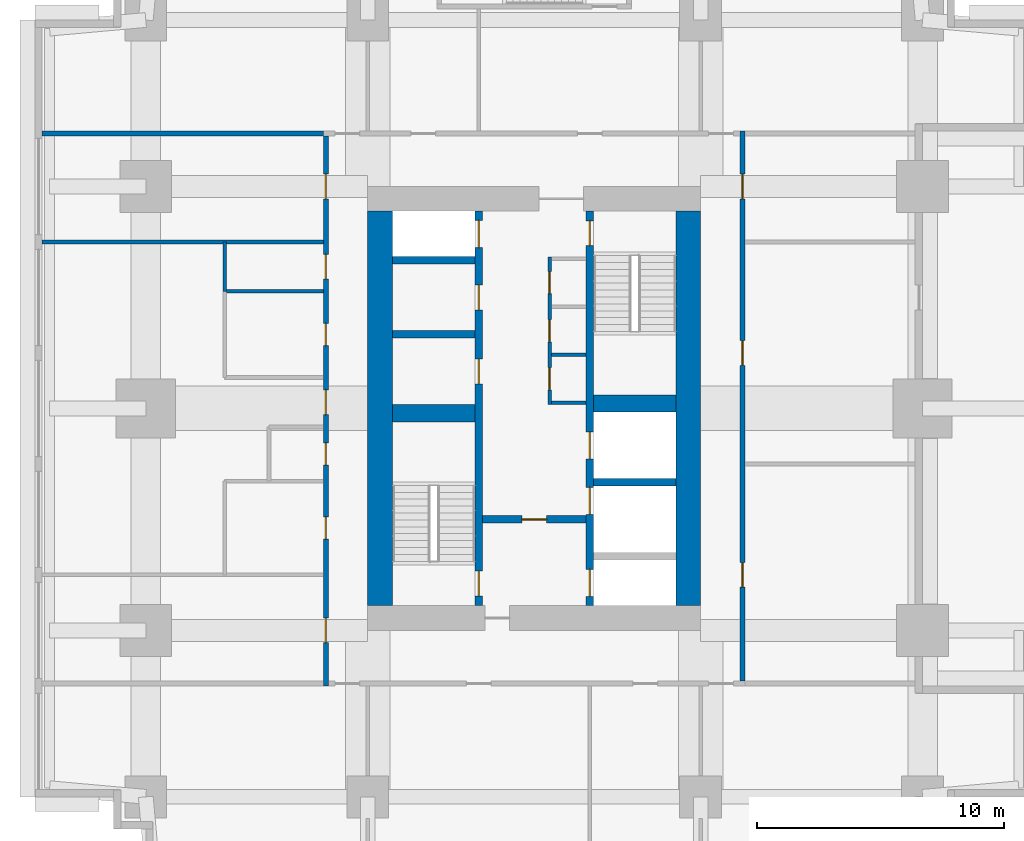
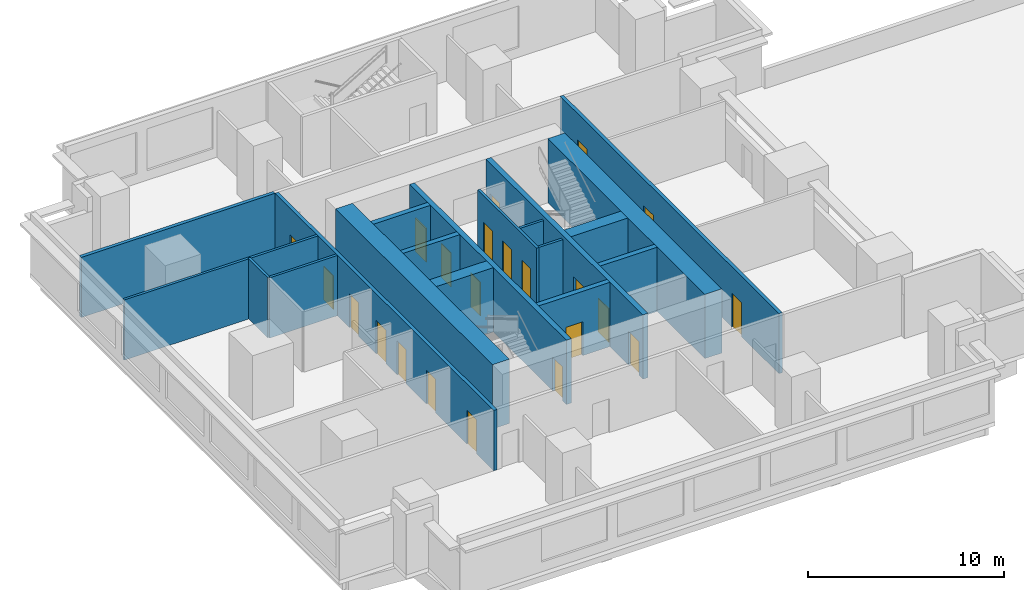
# One storey, part 4 of 10: 22 doors, 19 walls, 22 openings.
"""IFC4 building model written with IfcOpenShell, lengths in metres."""

from ifc_helpers import new_model, si_unit, direction, frame, frame_2d, origin, place, context, subcontext, project, spatial, rectangle, extrude, material, layer, layer_set, type_object, element, fill, save


model = new_model("IFC4")

# Units and contexts
model_context = context("Model", 3, precision=1e-05, world=origin(), true_north=direction((0.0, 1.0)))
body_context = subcontext(model_context, "Body", "Model", "MODEL_VIEW")
ifc_project = project(units=[si_unit("LENGTHUNIT", "METRE"), si_unit("AREAUNIT", "SQUARE_METRE"), si_unit("VOLUMEUNIT", "CUBIC_METRE"), si_unit("PLANEANGLEUNIT", "RADIAN"), si_unit("MASSUNIT", "GRAM", prefix="KILO")], contexts=[model_context])

# Site, building, storey
site_placement = place(None, origin())
site = spatial("IfcSite", under=ifc_project, at=site_placement, CompositionType="ELEMENT")
building_placement = place(site_placement, origin())
building = spatial("IfcBuilding", under=site, at=building_placement, Name="Namib Vertical Campus", CompositionType="ELEMENT")
storey_placement = place(building_placement, frame((0.0, 0.0, 137.0)))
storey = spatial("IfcBuildingStorey", under=building, at=storey_placement, Name="L32", CompositionType="ELEMENT", Elevation=137.0)

# Wall, openings, doors
ifc_material_1 = material(Name="Concrete C60/75", Category="concrete")
ifc_layer_1 = layer(ifc_material_1, 0.300048828125)
ifc_layer_set_1 = layer_set([ifc_layer_1], Name="Concrete C60/75")
wall_type_1 = type_object("IfcWallType", Name="Core inner wall 300", PredefinedType="SHEAR", material=ifc_layer_set_1)
wall_1_placement = place(storey_placement, frame((18.0, 12.25, 0.0), z_axis=(0.0, 0.0, 1.0), x_axis=(0.0, 1.0, 0.0)))
wall_1 = element("IfcWall", 1, at=wall_1_placement, inside=storey, type_object=wall_type_1, Name="Core inner wall A L32 W1", PredefinedType="SHEAR", context=body_context, shape_type="SweptSolid", body=[
    extrude(rectangle(XDim=16.0, YDim=0.300048828125, at=frame_2d((8.0, 0.0))), origin(), (0.0, 0.0, 1.0), 4.0),
])
opening_1_placement = place(wall_1_placement, frame((0.39990234375, 0.0, 0.0)))
opening_1 = element("IfcOpeningElement", 2, at=opening_1_placement, cuts=wall_1, Name="Opening FD1", PredefinedType="OPENING", context=body_context, shape_type="SweptSolid", body=[
    extrude(rectangle(XDim=1.0, YDim=2.10009765625, at=frame_2d((0.5, 1.050048828125))), frame((0.0, 0.159912109375, 0.0), z_axis=(0.0, -1.0, 0.0), x_axis=(1.0, 0.0, 0.0)), (0.0, 0.0, 1.0), 0.320068359375),
])
opening_2_placement = place(wall_1_placement, frame((14.52490234375, 0.0, 0.0)))
opening_2 = element("IfcOpeningElement", 3, at=opening_2_placement, cuts=wall_1, Name="Opening LD1", PredefinedType="OPENING", context=body_context, shape_type="SweptSolid", body=[
    extrude(rectangle(XDim=1.10009765625, YDim=2.10009765625, at=frame_2d((0.550048828125, 1.050048828125))), frame((0.0, 0.159912109375, 0.0), z_axis=(0.0, -1.0, 0.0), x_axis=(1.0, 0.0, 0.0)), (0.0, 0.0, 1.0), 0.320068359375),
])
opening_3_placement = place(wall_1_placement, frame((9.0, 0.0, 0.0)))
opening_3 = element("IfcOpeningElement", 4, at=opening_3_placement, cuts=wall_1, Name="Opening D1", PredefinedType="OPENING", context=body_context, shape_type="SweptSolid", body=[
    extrude(rectangle(XDim=1.0, YDim=2.10009765625, at=frame_2d((0.5, 1.050048828125))), frame((0.0, 0.159912109375, 0.0), z_axis=(0.0, -1.0, 0.0), x_axis=(1.0, 0.0, 0.0)), (0.0, 0.0, 1.0), 0.320068359375),
])
opening_4_placement = place(wall_1_placement, frame((12.0, 0.0, 0.0)))
opening_4 = element("IfcOpeningElement", 5, at=opening_4_placement, cuts=wall_1, Name="Opening D1", PredefinedType="OPENING", context=body_context, shape_type="SweptSolid", body=[
    extrude(rectangle(XDim=1.0, YDim=2.10009765625, at=frame_2d((0.5, 1.050048828125))), frame((0.0, 0.159912109375, 0.0), z_axis=(0.0, -1.0, 0.0), x_axis=(1.0, 0.0, 0.0)), (0.0, 0.0, 1.0), 0.320068359375),
])
ifc_material_2 = material(Name="Timber door leaf", Category="wood")
door_type_1 = type_object("IfcDoorType", Name="Door single 1000x2100", OperationType="SINGLE_SWING_LEFT", PredefinedType="DOOR", material=ifc_material_2)
door_1_placement = place(opening_3_placement, origin())
door_1 = element("IfcDoor", 6, at=door_1_placement, inside=storey, type_object=door_type_1, Name="Door D1 Store A L32 P1", OperationType="SINGLE_SWING_LEFT", OverallHeight=2.10009765625, OverallWidth=1.0, PredefinedType="DOOR", context=body_context, shape_type="SweptSolid", body=[
    extrude(rectangle(XDim=1.0, YDim=2.10009765625, at=frame_2d((0.5, 1.050048828125))), frame((0.0, 0.02490234375, 0.0), z_axis=(0.0, -1.0, 0.0), x_axis=(1.0, 0.0, 0.0)), (0.0, 0.0, 1.0), 0.050048828125),
])
fill(opening_3, door_1)
door_2_placement = place(opening_4_placement, origin())
door_2 = element("IfcDoor", 7, at=door_2_placement, inside=storey, type_object=door_type_1, Name="Door D1 Comms room A L32 P2", OperationType="SINGLE_SWING_LEFT", OverallHeight=2.10009765625, OverallWidth=1.0, PredefinedType="DOOR", context=body_context, shape_type="SweptSolid", body=[
    extrude(rectangle(XDim=1.0, YDim=2.10009765625, at=frame_2d((0.5, 1.050048828125))), frame((0.0, 0.02490234375, 0.0), z_axis=(0.0, -1.0, 0.0), x_axis=(1.0, 0.0, 0.0)), (0.0, 0.0, 1.0), 0.050048828125),
])
fill(opening_4, door_2)
ifc_material_3 = material(Name="Steel fire door", Category="steel")
door_type_2 = type_object("IfcDoorType", Name="Fire door 1000x2100", OperationType="SINGLE_SWING_RIGHT", PredefinedType="DOOR", material=ifc_material_3)
door_3_placement = place(opening_1_placement, origin())
door_3 = element("IfcDoor", 8, at=door_3_placement, inside=storey, type_object=door_type_2, Name="Stair door FD1 A L32 S1", OperationType="SINGLE_SWING_LEFT", OverallHeight=2.10009765625, OverallWidth=1.0, PredefinedType="DOOR", context=body_context, shape_type="SweptSolid", body=[
    extrude(rectangle(XDim=1.0, YDim=2.10009765625, at=frame_2d((0.5, 1.050048828125))), frame((0.0, 0.02490234375, 0.0), z_axis=(0.0, -1.0, 0.0), x_axis=(1.0, 0.0, 0.0)), (0.0, 0.0, 1.0), 0.050048828125),
])
fill(opening_1, door_3)
ifc_material_4 = material(Name="Stainless steel lift door", Category="steel")
door_type_3 = type_object("IfcDoorType", Name="Lift landing door 1100x2100", OperationType="DOUBLE_DOOR_SLIDING", PredefinedType="DOOR", material=ifc_material_4)
door_4_placement = place(opening_2_placement, origin())
door_4 = element("IfcDoor", 9, at=door_4_placement, inside=storey, type_object=door_type_3, Name="Lift landing door LD1 A-P3 L32", OperationType="DOUBLE_DOOR_SLIDING", OverallHeight=2.10009765625, OverallWidth=1.10009765625, PredefinedType="DOOR", context=body_context, shape_type="SweptSolid", body=[
    extrude(rectangle(XDim=1.10009765625, YDim=2.10009765625, at=frame_2d((0.550048828125, 1.050048828125))), frame((0.0, 0.02490234375, 0.0), z_axis=(0.0, -1.0, 0.0), x_axis=(1.0, 0.0, 0.0)), (0.0, 0.0, 1.0), 0.050048828125),
])
fill(opening_2, door_4)

wall_2_placement = place(storey_placement, frame((22.5, 12.25, 0.0), z_axis=(0.0, 0.0, 1.0), x_axis=(0.0, 1.0, 0.0)))
wall_2 = element("IfcWall", 10, at=wall_2_placement, inside=storey, type_object=wall_type_1, Name="Core inner wall A L32 W2", PredefinedType="SHEAR", context=body_context, shape_type="SweptSolid", body=[
    extrude(rectangle(XDim=16.0, YDim=0.300048828125, at=frame_2d((8.0, 0.0))), origin(), (0.0, 0.0, 1.0), 4.0),
])
opening_5_placement = place(wall_2_placement, frame((14.60009765625, 0.0, 0.0)))
opening_5 = element("IfcOpeningElement", 11, at=opening_5_placement, cuts=wall_2, Name="Opening FD1", PredefinedType="OPENING", context=body_context, shape_type="SweptSolid", body=[
    extrude(rectangle(XDim=1.0, YDim=2.10009765625, at=frame_2d((0.5, 1.050048828125))), frame((0.0, 0.159912109375, 0.0), z_axis=(0.0, -1.0, 0.0), x_axis=(1.0, 0.0, 0.0)), (0.0, 0.0, 1.0), 0.320068359375),
])
opening_6_placement = place(wall_2_placement, frame((0.375, 0.0, 0.0)))
opening_6 = element("IfcOpeningElement", 12, at=opening_6_placement, cuts=wall_2, Name="Opening LD1", PredefinedType="OPENING", context=body_context, shape_type="SweptSolid", body=[
    extrude(rectangle(XDim=1.10009765625, YDim=2.10009765625, at=frame_2d((0.550048828125, 1.050048828125))), frame((0.0, 0.159912109375, 0.0), z_axis=(0.0, -1.0, 0.0), x_axis=(1.0, 0.0, 0.0)), (0.0, 0.0, 1.0), 0.320068359375),
])
opening_7_placement = place(wall_2_placement, frame((3.699951171875, 0.0, 0.0)))
opening_7 = element("IfcOpeningElement", 13, at=opening_7_placement, cuts=wall_2, Name="Opening LD1", PredefinedType="OPENING", context=body_context, shape_type="SweptSolid", body=[
    extrude(rectangle(XDim=1.10009765625, YDim=2.10009765625, at=frame_2d((0.550048828125, 1.050048828125))), frame((0.0, 0.159912109375, 0.0), z_axis=(0.0, -1.0, 0.0), x_axis=(1.0, 0.0, 0.0)), (0.0, 0.0, 1.0), 0.320068359375),
])
opening_8_placement = place(wall_2_placement, frame((5.949951171875, 0.0, 0.0)))
opening_8 = element("IfcOpeningElement", 14, at=opening_8_placement, cuts=wall_2, Name="Opening LD1", PredefinedType="OPENING", context=body_context, shape_type="SweptSolid", body=[
    extrude(rectangle(XDim=1.10009765625, YDim=2.10009765625, at=frame_2d((0.550048828125, 1.050048828125))), frame((0.0, 0.159912109375, 0.0), z_axis=(0.0, -1.0, 0.0), x_axis=(1.0, 0.0, 0.0)), (0.0, 0.0, 1.0), 0.320068359375),
])
door_5_placement = place(opening_5_placement, frame((1.0, 0.0, 0.0), z_axis=(0.0, 0.0, 1.0), x_axis=(-1.0, 0.0, 0.0)))
door_5 = element("IfcDoor", 15, at=door_5_placement, inside=storey, type_object=door_type_2, Name="Stair door FD1 A L32 S2", OperationType="SINGLE_SWING_LEFT", OverallHeight=2.10009765625, OverallWidth=1.0, PredefinedType="DOOR", context=body_context, shape_type="SweptSolid", body=[
    extrude(rectangle(XDim=1.0, YDim=2.10009765625, at=frame_2d((0.5, 1.050048828125))), frame((0.0, 0.02490234375, 0.0), z_axis=(0.0, -1.0, 0.0), x_axis=(1.0, 0.0, 0.0)), (0.0, 0.0, 1.0), 0.050048828125),
])
fill(opening_5, door_5)
door_6_placement = place(opening_6_placement, origin())
door_6 = element("IfcDoor", 16, at=door_6_placement, inside=storey, type_object=door_type_3, Name="Lift landing door LD1 A-FL1 L32", OperationType="DOUBLE_DOOR_SLIDING", OverallHeight=2.10009765625, OverallWidth=1.10009765625, PredefinedType="DOOR", context=body_context, shape_type="SweptSolid", body=[
    extrude(rectangle(XDim=1.10009765625, YDim=2.10009765625, at=frame_2d((0.550048828125, 1.050048828125))), frame((0.0, 0.02490234375, 0.0), z_axis=(0.0, -1.0, 0.0), x_axis=(1.0, 0.0, 0.0)), (0.0, 0.0, 1.0), 0.050048828125),
])
fill(opening_6, door_6)
door_7_placement = place(opening_7_placement, origin())
door_7 = element("IfcDoor", 17, at=door_7_placement, inside=storey, type_object=door_type_3, Name="Lift landing door LD1 A-P4 L32", OperationType="DOUBLE_DOOR_SLIDING", OverallHeight=2.10009765625, OverallWidth=1.10009765625, PredefinedType="DOOR", context=body_context, shape_type="SweptSolid", body=[
    extrude(rectangle(XDim=1.10009765625, YDim=2.10009765625, at=frame_2d((0.550048828125, 1.050048828125))), frame((0.0, 0.02490234375, 0.0), z_axis=(0.0, -1.0, 0.0), x_axis=(1.0, 0.0, 0.0)), (0.0, 0.0, 1.0), 0.050048828125),
])
fill(opening_7, door_7)
door_8_placement = place(opening_8_placement, origin())
door_8 = element("IfcDoor", 18, at=door_8_placement, inside=storey, type_object=door_type_3, Name="Lift landing door LD1 A-P5 L32", OperationType="DOUBLE_DOOR_SLIDING", OverallHeight=2.10009765625, OverallWidth=1.10009765625, PredefinedType="DOOR", context=body_context, shape_type="SweptSolid", body=[
    extrude(rectangle(XDim=1.10009765625, YDim=2.10009765625, at=frame_2d((0.550048828125, 1.050048828125))), frame((0.0, 0.02490234375, 0.0), z_axis=(0.0, -1.0, 0.0), x_axis=(1.0, 0.0, 0.0)), (0.0, 0.0, 1.0), 0.050048828125),
])
fill(opening_8, door_8)

# Wall, opening, door
wall_3_placement = place(storey_placement, frame((18.14990234375, 15.75, 0.0), z_axis=(0.0, 0.0, 1.0), x_axis=(1.0, 0.0, 0.0)))
wall_3 = element("IfcWall", 19, at=wall_3_placement, inside=storey, type_object=wall_type_1, Name="Core inner wall A L32 W4", PredefinedType="SHEAR", context=body_context, shape_type="SweptSolid", body=[
    extrude(rectangle(XDim=4.2001953125, YDim=0.300048828125, at=frame_2d((2.10009765625, 0.0))), origin(), (0.0, 0.0, 1.0), 4.0),
])
opening_9_placement = place(wall_3_placement, frame((1.60009765625, 0.0, 0.0)))
opening_9 = element("IfcOpeningElement", 20, at=opening_9_placement, cuts=wall_3, Name="Opening FD5", PredefinedType="OPENING", context=body_context, shape_type="SweptSolid", body=[
    extrude(rectangle(XDim=1.0, YDim=2.10009765625, at=frame_2d((0.5, 1.050048828125))), frame((0.0, 0.159912109375, 0.0), z_axis=(0.0, -1.0, 0.0), x_axis=(1.0, 0.0, 0.0)), (0.0, 0.0, 1.0), 0.320068359375),
])
ifc_material_5 = material(Name="Steel fire door", Category="steel")
door_type_4 = type_object("IfcDoorType", Name="Fire door 1000x2100 120 min", OperationType="SINGLE_SWING_RIGHT", PredefinedType="DOOR", material=ifc_material_5)
door_9_placement = place(opening_9_placement, frame((1.0, 0.0, 0.0), z_axis=(0.0, 0.0, 1.0), x_axis=(-1.0, 0.0, 0.0)))
door_9 = element("IfcDoor", 21, at=door_9_placement, inside=storey, type_object=door_type_4, Name="Lobby door FD5 A L32", OperationType="SINGLE_SWING_RIGHT", OverallHeight=2.10009765625, OverallWidth=1.0, PredefinedType="DOOR", context=body_context, shape_type="SweptSolid", body=[
    extrude(rectangle(XDim=1.0, YDim=2.10009765625, at=frame_2d((0.5, 1.050048828125))), frame((0.0, 0.02490234375, 0.0), z_axis=(0.0, -1.0, 0.0), x_axis=(1.0, 0.0, 0.0)), (0.0, 0.0, 1.0), 0.050048828125),
])
fill(opening_9, door_9)

# Walls
for number, where, z_axis, x_axis, name in (
    (22, (22.64990234375, 17.25, 0.0), (0.0, 0.0, 1.0), (1.0, 0.0, 0.0), "Core inner wall A L32 W6"),
    (23, (14.5, 23.25, 0.0), (0.0, 0.0, 1.0), (1.0, 0.0, 0.0), "Core inner wall A L32 W8"),
    (24, (14.5, 26.25, 0.0), (0.0, 0.0, 1.0), (1.0, 0.0, 0.0), "Core inner wall A L32 W9"),
):
    element("IfcWall", number, at=place(storey_placement, frame(where, z_axis=z_axis, x_axis=x_axis)), inside=storey, type_object=wall_type_1, Name=name, PredefinedType="SHEAR", context=body_context, shape_type="SweptSolid", body=[
        extrude(rectangle(XDim=3.35009765625, YDim=0.300048828125, at=frame_2d((1.675048828125, 0.0))), origin(), (0.0, 0.0, 1.0), 4.0),
    ])
ifc_material_6 = material(Name="Concrete C60/75", Category="concrete")
ifc_layer_2 = layer(ifc_material_6, 0.699951171875)
ifc_layer_set_2 = layer_set([ifc_layer_2], Name="Concrete C60/75")
wall_type_2 = type_object("IfcWallType", Name="Core shear wall 700", PredefinedType="SHEAR", material=ifc_layer_set_2)
for number, where, z_axis, x_axis, name in (
    (25, (14.5, 20.050048828125, 0.0), (0.0, 0.0, 1.0), (1.0, 0.0, 0.0), "Core shear wall A L32 W3"),
    (26, (22.64990234375, 20.449951171875, 0.0), (0.0, 0.0, 1.0), (1.0, 0.0, 0.0), "Core shear wall A L32 W7"),
):
    element("IfcWall", number, at=place(storey_placement, frame(where, z_axis=z_axis, x_axis=x_axis)), inside=storey, type_object=wall_type_2, Name=name, PredefinedType="SHEAR", context=body_context, shape_type="SweptSolid", body=[
        extrude(rectangle(XDim=3.35009765625, YDim=0.699951171875, at=frame_2d((1.675048828125, 0.0))), origin(), (0.0, 0.0, 1.0), 4.0),
    ])
ifc_material_7 = material(Name="Concrete C60/75", Category="concrete")
ifc_layer_3 = layer(ifc_material_7, 1.0)
ifc_layer_set_3 = layer_set([ifc_layer_3], Name="Concrete C60/75")
wall_type_3 = type_object("IfcWallType", Name="Core wall 1000", PredefinedType="SHEAR", material=ifc_layer_set_3)
for number, where, z_axis, x_axis, name in (
    (27, (26.5, 12.25, 0.0), (0.0, 0.0, 1.0), (0.0, 1.0, 0.0), "Core wall A L32 2"),
    (28, (14.0, 28.25, 0.0), (0.0, 0.0, 1.0), (0.0, -1.0, 0.0), "Core wall A L32 4"),
):
    element("IfcWall", number, at=place(storey_placement, frame(where, z_axis=z_axis, x_axis=x_axis)), inside=storey, type_object=wall_type_3, Name=name, PredefinedType="SHEAR", context=body_context, shape_type="SweptSolid", body=[
        extrude(rectangle(XDim=16.0, YDim=1.0, at=frame_2d((8.0, 0.0))), origin(), (0.0, 0.0, 1.0), 4.0),
    ])

# Wall, openings, doors
ifc_material_8 = material(Name="Concrete masonry", Category="masonry")
ifc_layer_4 = layer(ifc_material_8, 0.199951171875)
ifc_layer_set_4 = layer_set([ifc_layer_4], Name="Corridor wall 200")
wall_type_4 = type_object("IfcWallType", Name="Corridor wall 200", PredefinedType="SOLIDWALL", material=ifc_layer_set_4)
wall_4_placement = place(storey_placement, frame((28.699951171875, 9.199951171875, 0.0), z_axis=(0.0, 0.0, 1.0), x_axis=(0.0, 1.0, 0.0)))
wall_4 = element("IfcWall", 29, at=wall_4_placement, inside=storey, type_object=wall_type_4, Name="Corridor wall A L32 CE", PredefinedType="SOLIDWALL", context=body_context, shape_type="SweptSolid", body=[
    extrude(rectangle(XDim=22.300048828125, YDim=0.199951171875, at=frame_2d((11.14990234375, 0.0))), origin(), (0.0, 0.0, 1.0), 3.75),
])
opening_10_placement = place(wall_4_placement, frame((3.800048828125, 0.0, 0.0)))
opening_10 = element("IfcOpeningElement", 30, at=opening_10_placement, cuts=wall_4, Name="Opening CD1", PredefinedType="OPENING", context=body_context, shape_type="SweptSolid", body=[
    extrude(rectangle(XDim=1.0, YDim=2.10009765625, at=frame_2d((0.5, 1.050048828125))), frame((0.0, 0.10986328125, 0.0), z_axis=(0.0, -1.0, 0.0), x_axis=(1.0, 0.0, 0.0)), (0.0, 0.0, 1.0), 0.219970703125),
])
opening_11_placement = place(wall_4_placement, frame((12.800048828125, 0.0, 0.0)))
opening_11 = element("IfcOpeningElement", 31, at=opening_11_placement, cuts=wall_4, Name="Opening CD1", PredefinedType="OPENING", context=body_context, shape_type="SweptSolid", body=[
    extrude(rectangle(XDim=1.0, YDim=2.10009765625, at=frame_2d((0.5, 1.050048828125))), frame((0.0, 0.10986328125, 0.0), z_axis=(0.0, -1.0, 0.0), x_axis=(1.0, 0.0, 0.0)), (0.0, 0.0, 1.0), 0.219970703125),
])
opening_12_placement = place(wall_4_placement, frame((19.550048828125, 0.0, 0.0)))
opening_12 = element("IfcOpeningElement", 32, at=opening_12_placement, cuts=wall_4, Name="Opening CD1", PredefinedType="OPENING", context=body_context, shape_type="SweptSolid", body=[
    extrude(rectangle(XDim=1.0, YDim=2.10009765625, at=frame_2d((0.5, 1.050048828125))), frame((0.0, 0.10986328125, 0.0), z_axis=(0.0, -1.0, 0.0), x_axis=(1.0, 0.0, 0.0)), (0.0, 0.0, 1.0), 0.219970703125),
])
ifc_material_9 = material(Name="Timber fire door leaf", Category="wood")
door_type_5 = type_object("IfcDoorType", Name="Corridor door 1000x2100 20 min", OperationType="SINGLE_SWING_LEFT", PredefinedType="DOOR", material=ifc_material_9)
door_10_placement = place(opening_10_placement, frame((1.0, 0.0, 0.0), z_axis=(0.0, 0.0, 1.0), x_axis=(-1.0, 0.0, 0.0)))
door_10 = element("IfcDoor", 33, at=door_10_placement, inside=storey, type_object=door_type_5, Name="Door CD1 A32-05", OperationType="SINGLE_SWING_RIGHT", OverallHeight=2.10009765625, OverallWidth=1.0, PredefinedType="DOOR", context=body_context, shape_type="SweptSolid", body=[
    extrude(rectangle(XDim=1.0, YDim=2.10009765625, at=frame_2d((0.5, 1.050048828125))), frame((0.0, 0.02490234375, 0.0), z_axis=(0.0, -1.0, 0.0), x_axis=(1.0, 0.0, 0.0)), (0.0, 0.0, 1.0), 0.050048828125),
])
fill(opening_10, door_10)
door_11_placement = place(opening_11_placement, frame((1.0, 0.0, 0.0), z_axis=(0.0, 0.0, 1.0), x_axis=(-1.0, 0.0, 0.0)))
door_11 = element("IfcDoor", 34, at=door_11_placement, inside=storey, type_object=door_type_5, Name="Door CD1 A32-06", OperationType="SINGLE_SWING_RIGHT", OverallHeight=2.10009765625, OverallWidth=1.0, PredefinedType="DOOR", context=body_context, shape_type="SweptSolid", body=[
    extrude(rectangle(XDim=1.0, YDim=2.10009765625, at=frame_2d((0.5, 1.050048828125))), frame((0.0, 0.02490234375, 0.0), z_axis=(0.0, -1.0, 0.0), x_axis=(1.0, 0.0, 0.0)), (0.0, 0.0, 1.0), 0.050048828125),
])
fill(opening_11, door_11)
door_12_placement = place(opening_12_placement, frame((1.0, 0.0, 0.0), z_axis=(0.0, 0.0, 1.0), x_axis=(-1.0, 0.0, 0.0)))
door_12 = element("IfcDoor", 35, at=door_12_placement, inside=storey, type_object=door_type_5, Name="Door CD1 A32-07", OperationType="SINGLE_SWING_RIGHT", OverallHeight=2.10009765625, OverallWidth=1.0, PredefinedType="DOOR", context=body_context, shape_type="SweptSolid", body=[
    extrude(rectangle(XDim=1.0, YDim=2.10009765625, at=frame_2d((0.5, 1.050048828125))), frame((0.0, 0.02490234375, 0.0), z_axis=(0.0, -1.0, 0.0), x_axis=(1.0, 0.0, 0.0)), (0.0, 0.0, 1.0), 0.050048828125),
])
fill(opening_12, door_12)

wall_5_placement = place(storey_placement, frame((11.800048828125, 31.300048828125, 0.0), z_axis=(0.0, 0.0, 1.0), x_axis=(0.0, -1.0, 0.0)))
wall_5 = element("IfcWall", 36, at=wall_5_placement, inside=storey, type_object=wall_type_4, Name="Corridor wall A L32 CW", PredefinedType="SOLIDWALL", context=body_context, shape_type="SweptSolid", body=[
    extrude(rectangle(XDim=22.300048828125, YDim=0.199951171875, at=frame_2d((11.14990234375, 0.0))), origin(), (0.0, 0.0, 1.0), 3.75),
])
opening_13_placement = place(wall_5_placement, frame((19.550048828125, 0.0, 0.0)))
opening_13 = element("IfcOpeningElement", 37, at=opening_13_placement, cuts=wall_5, Name="Opening CD1", PredefinedType="OPENING", context=body_context, shape_type="SweptSolid", body=[
    extrude(rectangle(XDim=1.0, YDim=2.10009765625, at=frame_2d((0.5, 1.050048828125))), frame((0.0, 0.10986328125, 0.0), z_axis=(0.0, -1.0, 0.0), x_axis=(1.0, 0.0, 0.0)), (0.0, 0.0, 1.0), 0.219970703125),
])
opening_14_placement = place(wall_5_placement, frame((15.449951171875, 0.0, 0.0)))
opening_14 = element("IfcOpeningElement", 38, at=opening_14_placement, cuts=wall_5, Name="Opening CD3", PredefinedType="OPENING", context=body_context, shape_type="SweptSolid", body=[
    extrude(rectangle(XDim=0.89990234375, YDim=2.10009765625, at=frame_2d((0.449951171875, 1.050048828125))), frame((0.0, 0.10986328125, 0.0), z_axis=(0.0, -1.0, 0.0), x_axis=(1.0, 0.0, 0.0)), (0.0, 0.0, 1.0), 0.219970703125),
])
opening_15_placement = place(wall_5_placement, frame((12.449951171875, 0.0, 0.0)))
opening_15 = element("IfcOpeningElement", 39, at=opening_15_placement, cuts=wall_5, Name="Opening CD3", PredefinedType="OPENING", context=body_context, shape_type="SweptSolid", body=[
    extrude(rectangle(XDim=0.89990234375, YDim=2.10009765625, at=frame_2d((0.449951171875, 1.050048828125))), frame((0.0, 0.10986328125, 0.0), z_axis=(0.0, -1.0, 0.0), x_axis=(1.0, 0.0, 0.0)), (0.0, 0.0, 1.0), 0.219970703125),
])
opening_16_placement = place(wall_5_placement, frame((7.60009765625, 0.0, 0.0)))
opening_16 = element("IfcOpeningElement", 40, at=opening_16_placement, cuts=wall_5, Name="Opening CD3", PredefinedType="OPENING", context=body_context, shape_type="SweptSolid", body=[
    extrude(rectangle(XDim=0.89990234375, YDim=2.10009765625, at=frame_2d((0.449951171875, 1.050048828125))), frame((0.0, 0.10986328125, 0.0), z_axis=(0.0, -1.0, 0.0), x_axis=(1.0, 0.0, 0.0)), (0.0, 0.0, 1.0), 0.219970703125),
])
opening_17_placement = place(wall_5_placement, frame((4.800048828125, 0.0, 0.0)))
opening_17 = element("IfcOpeningElement", 41, at=opening_17_placement, cuts=wall_5, Name="Opening CD1", PredefinedType="OPENING", context=body_context, shape_type="SweptSolid", body=[
    extrude(rectangle(XDim=1.0, YDim=2.10009765625, at=frame_2d((0.5, 1.050048828125))), frame((0.0, 0.10986328125, 0.0), z_axis=(0.0, -1.0, 0.0), x_axis=(1.0, 0.0, 0.0)), (0.0, 0.0, 1.0), 0.219970703125),
])
opening_18_placement = place(wall_5_placement, frame((10.300048828125, 0.0, 0.0)))
opening_18 = element("IfcOpeningElement", 42, at=opening_18_placement, cuts=wall_5, Name="Opening CD1", PredefinedType="OPENING", context=body_context, shape_type="SweptSolid", body=[
    extrude(rectangle(XDim=1.0, YDim=2.10009765625, at=frame_2d((0.5, 1.050048828125))), frame((0.0, 0.10986328125, 0.0), z_axis=(0.0, -1.0, 0.0), x_axis=(1.0, 0.0, 0.0)), (0.0, 0.0, 1.0), 0.219970703125),
])
opening_19_placement = place(wall_5_placement, frame((1.550048828125, 0.0, 0.0)))
opening_19 = element("IfcOpeningElement", 43, at=opening_19_placement, cuts=wall_5, Name="Opening CD1", PredefinedType="OPENING", context=body_context, shape_type="SweptSolid", body=[
    extrude(rectangle(XDim=1.0, YDim=2.10009765625, at=frame_2d((0.5, 1.050048828125))), frame((0.0, 0.10986328125, 0.0), z_axis=(0.0, -1.0, 0.0), x_axis=(1.0, 0.0, 0.0)), (0.0, 0.0, 1.0), 0.219970703125),
])
door_13_placement = place(opening_13_placement, frame((1.0, 0.0, 0.0), z_axis=(0.0, 0.0, 1.0), x_axis=(-1.0, 0.0, 0.0)))
door_13 = element("IfcDoor", 44, at=door_13_placement, inside=storey, type_object=door_type_5, Name="Door CD1 A32-12", OperationType="SINGLE_SWING_RIGHT", OverallHeight=2.10009765625, OverallWidth=1.0, PredefinedType="DOOR", context=body_context, shape_type="SweptSolid", body=[
    extrude(rectangle(XDim=1.0, YDim=2.10009765625, at=frame_2d((0.5, 1.050048828125))), frame((0.0, 0.02490234375, 0.0), z_axis=(0.0, -1.0, 0.0), x_axis=(1.0, 0.0, 0.0)), (0.0, 0.0, 1.0), 0.050048828125),
])
fill(opening_13, door_13)
door_14_placement = place(opening_17_placement, frame((1.0, 0.0, 0.0), z_axis=(0.0, 0.0, 1.0), x_axis=(-1.0, 0.0, 0.0)))
door_14 = element("IfcDoor", 45, at=door_14_placement, inside=storey, type_object=door_type_5, Name="Door CD1 A32-16", OperationType="SINGLE_SWING_RIGHT", OverallHeight=2.10009765625, OverallWidth=1.0, PredefinedType="DOOR", context=body_context, shape_type="SweptSolid", body=[
    extrude(rectangle(XDim=1.0, YDim=2.10009765625, at=frame_2d((0.5, 1.050048828125))), frame((0.0, 0.02490234375, 0.0), z_axis=(0.0, -1.0, 0.0), x_axis=(1.0, 0.0, 0.0)), (0.0, 0.0, 1.0), 0.050048828125),
])
fill(opening_17, door_14)
door_15_placement = place(opening_18_placement, frame((1.0, 0.0, 0.0), z_axis=(0.0, 0.0, 1.0), x_axis=(-1.0, 0.0, 0.0)))
door_15 = element("IfcDoor", 46, at=door_15_placement, inside=storey, type_object=door_type_5, Name="Door CD1 A32-17", OperationType="SINGLE_SWING_RIGHT", OverallHeight=2.10009765625, OverallWidth=1.0, PredefinedType="DOOR", context=body_context, shape_type="SweptSolid", body=[
    extrude(rectangle(XDim=1.0, YDim=2.10009765625, at=frame_2d((0.5, 1.050048828125))), frame((0.0, 0.02490234375, 0.0), z_axis=(0.0, -1.0, 0.0), x_axis=(1.0, 0.0, 0.0)), (0.0, 0.0, 1.0), 0.050048828125),
])
fill(opening_18, door_15)
door_16_placement = place(opening_19_placement, frame((1.0, 0.0, 0.0), z_axis=(0.0, 0.0, 1.0), x_axis=(-1.0, 0.0, 0.0)))
door_16 = element("IfcDoor", 47, at=door_16_placement, inside=storey, type_object=door_type_5, Name="Door CD1 A32-18", OperationType="SINGLE_SWING_RIGHT", OverallHeight=2.10009765625, OverallWidth=1.0, PredefinedType="DOOR", context=body_context, shape_type="SweptSolid", body=[
    extrude(rectangle(XDim=1.0, YDim=2.10009765625, at=frame_2d((0.5, 1.050048828125))), frame((0.0, 0.02490234375, 0.0), z_axis=(0.0, -1.0, 0.0), x_axis=(1.0, 0.0, 0.0)), (0.0, 0.0, 1.0), 0.050048828125),
])
fill(opening_19, door_16)
ifc_material_10 = material(Name="Timber fire door leaf", Category="wood")
door_type_6 = type_object("IfcDoorType", Name="Corridor toilet door 900x2100 20 min", OperationType="SINGLE_SWING_LEFT", PredefinedType="DOOR", material=ifc_material_10)
door_17_placement = place(opening_14_placement, frame((0.89990234375, 0.0, 0.0), z_axis=(0.0, 0.0, 1.0), x_axis=(-1.0, 0.0, 0.0)))
door_17 = element("IfcDoor", 48, at=door_17_placement, inside=storey, type_object=door_type_6, Name="Door CD3 A32-13", OperationType="SINGLE_SWING_RIGHT", OverallHeight=2.10009765625, OverallWidth=0.89990234375, PredefinedType="DOOR", context=body_context, shape_type="SweptSolid", body=[
    extrude(rectangle(XDim=0.89990234375, YDim=2.10009765625, at=frame_2d((0.449951171875, 1.050048828125))), frame((0.0, 0.02490234375, 0.0), z_axis=(0.0, -1.0, 0.0), x_axis=(1.0, 0.0, 0.0)), (0.0, 0.0, 1.0), 0.050048828125),
])
fill(opening_14, door_17)
door_18_placement = place(opening_15_placement, frame((0.89990234375, 0.0, 0.0), z_axis=(0.0, 0.0, 1.0), x_axis=(-1.0, 0.0, 0.0)))
door_18 = element("IfcDoor", 49, at=door_18_placement, inside=storey, type_object=door_type_6, Name="Door CD3 A32-14", OperationType="SINGLE_SWING_RIGHT", OverallHeight=2.10009765625, OverallWidth=0.89990234375, PredefinedType="DOOR", context=body_context, shape_type="SweptSolid", body=[
    extrude(rectangle(XDim=0.89990234375, YDim=2.10009765625, at=frame_2d((0.449951171875, 1.050048828125))), frame((0.0, 0.02490234375, 0.0), z_axis=(0.0, -1.0, 0.0), x_axis=(1.0, 0.0, 0.0)), (0.0, 0.0, 1.0), 0.050048828125),
])
fill(opening_15, door_18)
door_19_placement = place(opening_16_placement, frame((0.89990234375, 0.0, 0.0), z_axis=(0.0, 0.0, 1.0), x_axis=(-1.0, 0.0, 0.0)))
door_19 = element("IfcDoor", 50, at=door_19_placement, inside=storey, type_object=door_type_6, Name="Door CD3 A32-15", OperationType="SINGLE_SWING_RIGHT", OverallHeight=2.10009765625, OverallWidth=0.89990234375, PredefinedType="DOOR", context=body_context, shape_type="SweptSolid", body=[
    extrude(rectangle(XDim=0.89990234375, YDim=2.10009765625, at=frame_2d((0.449951171875, 1.050048828125))), frame((0.0, 0.02490234375, 0.0), z_axis=(0.0, -1.0, 0.0), x_axis=(1.0, 0.0, 0.0)), (0.0, 0.0, 1.0), 0.050048828125),
])
fill(opening_16, door_19)

# Wall
wall_6_placement = place(storey_placement, frame((0.300048828125, 31.39990234375, 0.0), z_axis=(0.0, 0.0, 1.0), x_axis=(1.0, 0.0, 0.0)))
element("IfcWall", 51, at=wall_6_placement, inside=storey, type_object=wall_type_4, Name="Partition A L32 BNW", PredefinedType="SOLIDWALL", context=body_context, shape_type="SweptSolid", body=[
    extrude(rectangle(XDim=11.39990234375, YDim=0.199951171875, at=frame_2d((5.699951171875, 0.0))), origin(), (0.0, 0.0, 1.0), 3.75),
])

# Wall, openings, doors
ifc_material_11 = material(Name="Gypsum board on steel studs", Category="steel")
ifc_layer_5 = layer(ifc_material_11, 0.14990234375)
ifc_layer_set_5 = layer_set([ifc_layer_5], Name="Gypsum board on steel studs")
wall_type_5 = type_object("IfcWallType", Name="Partition 150", PredefinedType="PARTITIONING", material=ifc_layer_set_5)
wall_7_placement = place(storey_placement, frame((20.875, 20.39990234375, 0.0), z_axis=(0.0, 0.0, 1.0), x_axis=(0.0, 1.0, 0.0)))
wall_7 = element("IfcWall", 52, at=wall_7_placement, inside=storey, type_object=wall_type_5, Name="Partition A L32 Records store and Cleaners' store and Linen store front", PredefinedType="PARTITIONING", context=body_context, shape_type="SweptSolid", body=[
    extrude(rectangle(XDim=6.0, YDim=0.14990234375, at=frame_2d((3.0, 0.0))), origin(), (0.0, 0.0, 1.0), 3.75),
])
opening_20_placement = place(wall_7_placement, frame((0.60009765625, 0.0, 0.0)))
opening_20 = element("IfcOpeningElement", 53, at=opening_20_placement, cuts=wall_7, Name="Opening D3", PredefinedType="OPENING", context=body_context, shape_type="SweptSolid", body=[
    extrude(rectangle(XDim=0.89990234375, YDim=2.10009765625, at=frame_2d((0.449951171875, 1.050048828125))), frame((0.0, 0.0849609375, 0.0), z_axis=(0.0, -1.0, 0.0), x_axis=(1.0, 0.0, 0.0)), (0.0, 0.0, 1.0), 0.169921875),
])
opening_21_placement = place(wall_7_placement, frame((2.550048828125, 0.0, 0.0)))
opening_21 = element("IfcOpeningElement", 54, at=opening_21_placement, cuts=wall_7, Name="Opening D3", PredefinedType="OPENING", context=body_context, shape_type="SweptSolid", body=[
    extrude(rectangle(XDim=0.89990234375, YDim=2.10009765625, at=frame_2d((0.449951171875, 1.050048828125))), frame((0.0, 0.0849609375, 0.0), z_axis=(0.0, -1.0, 0.0), x_axis=(1.0, 0.0, 0.0)), (0.0, 0.0, 1.0), 0.169921875),
])
opening_22_placement = place(wall_7_placement, frame((4.5, 0.0, 0.0)))
opening_22 = element("IfcOpeningElement", 55, at=opening_22_placement, cuts=wall_7, Name="Opening D3", PredefinedType="OPENING", context=body_context, shape_type="SweptSolid", body=[
    extrude(rectangle(XDim=0.89990234375, YDim=2.10009765625, at=frame_2d((0.449951171875, 1.050048828125))), frame((0.0, 0.0849609375, 0.0), z_axis=(0.0, -1.0, 0.0), x_axis=(1.0, 0.0, 0.0)), (0.0, 0.0, 1.0), 0.169921875),
])
ifc_material_12 = material(Name="Timber door leaf", Category="wood")
door_type_7 = type_object("IfcDoorType", Name="Toilet door 900x2100", OperationType="SINGLE_SWING_LEFT", PredefinedType="DOOR", material=ifc_material_12)
door_20_placement = place(opening_20_placement, frame((0.89990234375, 0.0, 0.0), z_axis=(0.0, 0.0, 1.0), x_axis=(-1.0, 0.0, 0.0)))
door_20 = element("IfcDoor", 56, at=door_20_placement, inside=storey, type_object=door_type_7, Name="Door D3 Records store A L32", OperationType="SINGLE_SWING_RIGHT", OverallHeight=2.10009765625, OverallWidth=0.89990234375, PredefinedType="DOOR", context=body_context, shape_type="SweptSolid", body=[
    extrude(rectangle(XDim=0.89990234375, YDim=2.10009765625, at=frame_2d((0.449951171875, 1.050048828125))), frame((0.0, 0.02490234375, 0.0), z_axis=(0.0, -1.0, 0.0), x_axis=(1.0, 0.0, 0.0)), (0.0, 0.0, 1.0), 0.050048828125),
])
fill(opening_20, door_20)
door_21_placement = place(opening_21_placement, frame((0.89990234375, 0.0, 0.0), z_axis=(0.0, 0.0, 1.0), x_axis=(-1.0, 0.0, 0.0)))
door_21 = element("IfcDoor", 57, at=door_21_placement, inside=storey, type_object=door_type_7, Name="Door D3 Cleaners' store A L32", OperationType="SINGLE_SWING_RIGHT", OverallHeight=2.10009765625, OverallWidth=0.89990234375, PredefinedType="DOOR", context=body_context, shape_type="SweptSolid", body=[
    extrude(rectangle(XDim=0.89990234375, YDim=2.10009765625, at=frame_2d((0.449951171875, 1.050048828125))), frame((0.0, 0.02490234375, 0.0), z_axis=(0.0, -1.0, 0.0), x_axis=(1.0, 0.0, 0.0)), (0.0, 0.0, 1.0), 0.050048828125),
])
fill(opening_21, door_21)
door_22_placement = place(opening_22_placement, frame((0.89990234375, 0.0, 0.0), z_axis=(0.0, 0.0, 1.0), x_axis=(-1.0, 0.0, 0.0)))
door_22 = element("IfcDoor", 58, at=door_22_placement, inside=storey, type_object=door_type_7, Name="Door D3 Linen store A L32", OperationType="SINGLE_SWING_RIGHT", OverallHeight=2.10009765625, OverallWidth=0.89990234375, PredefinedType="DOOR", context=body_context, shape_type="SweptSolid", body=[
    extrude(rectangle(XDim=0.89990234375, YDim=2.10009765625, at=frame_2d((0.449951171875, 1.050048828125))), frame((0.0, 0.02490234375, 0.0), z_axis=(0.0, -1.0, 0.0), x_axis=(1.0, 0.0, 0.0)), (0.0, 0.0, 1.0), 0.050048828125),
])
fill(opening_22, door_22)

# Walls
for number, where, z_axis, x_axis, name in (
    (59, (20.949951171875, 20.47509765625, 0.0), (0.0, 0.0, 1.0), (1.0, 0.0, 0.0), "Partition A L32 Records store and Cleaners' store and Linen store end 1"),
    (60, (20.949951171875, 22.425048828125, 0.0), (0.0, 0.0, 1.0), (1.0, 0.0, 0.0), "Partition A L32 Records store and Cleaners' store and Linen store division 2"),
):
    element("IfcWall", number, at=place(storey_placement, frame(where, z_axis=z_axis, x_axis=x_axis)), inside=storey, type_object=wall_type_5, Name=name, PredefinedType="PARTITIONING", context=body_context, shape_type="SweptSolid", body=[
        extrude(rectangle(XDim=1.400146484375, YDim=0.14990234375, at=frame_2d((0.7001953125, 0.0))), origin(), (0.0, 0.0, 1.0), 3.75),
    ])
wall_8_placement = place(storey_placement, frame((0.300048828125, 27.0, 0.0), z_axis=(0.0, 0.0, 1.0), x_axis=(1.0, 0.0, 0.0)))
element("IfcWall", 61, at=wall_8_placement, inside=storey, type_object=wall_type_5, Name="Partition A L32 PW2", PredefinedType="PARTITIONING", context=body_context, shape_type="SweptSolid", body=[
    extrude(rectangle(XDim=11.39990234375, YDim=0.14990234375, at=frame_2d((5.699951171875, 0.0))), origin(), (0.0, 0.0, 1.0), 3.75),
])
wall_9_placement = place(storey_placement, frame((11.699951171875, 25.0, 0.0), z_axis=(0.0, 0.0, 1.0), x_axis=(-1.0, 0.0, 0.0)))
element("IfcWall", 62, at=wall_9_placement, inside=storey, type_object=wall_type_5, Name="Partition A L32 WR4", PredefinedType="PARTITIONING", context=body_context, shape_type="SweptSolid", body=[
    extrude(rectangle(XDim=4.0, YDim=0.14990234375, at=frame_2d((2.0, 0.0))), origin(), (0.0, 0.0, 1.0), 3.75),
])
wall_10_placement = place(storey_placement, frame((7.699951171875, 25.0, 0.0), z_axis=(0.0, 0.0, 1.0), x_axis=(0.0, 1.0, 0.0)))
element("IfcWall", 63, at=wall_10_placement, inside=storey, type_object=wall_type_5, Name="Partition A L32 WB4", PredefinedType="PARTITIONING", context=body_context, shape_type="SweptSolid", body=[
    extrude(rectangle(XDim=2.0, YDim=0.14990234375, at=frame_2d((1.0, 0.0))), origin(), (0.0, 0.0, 1.0), 3.75),
])

save(model, "model.ifc")
